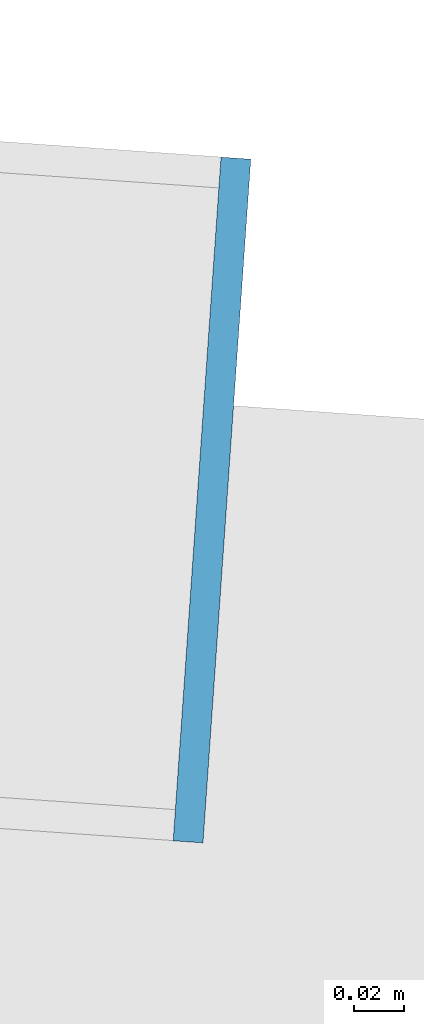
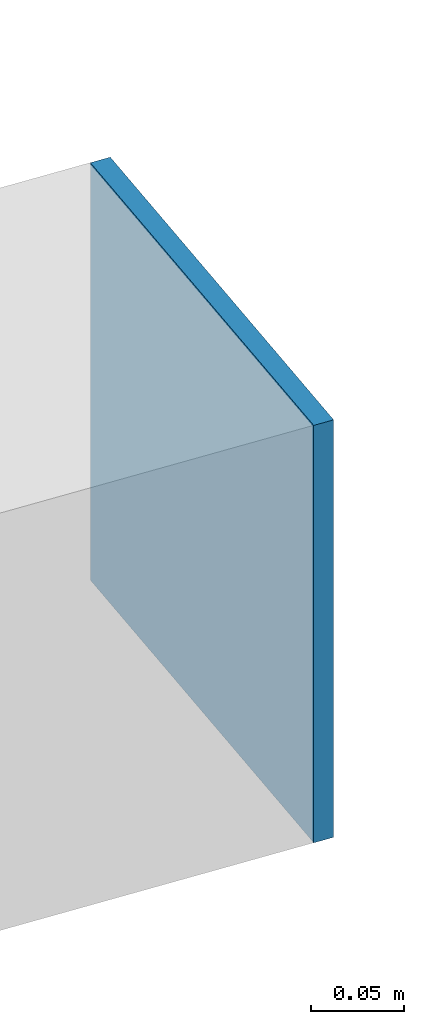
# One storey, part 31 of 39: 1 plate.
"""IFC4 building model written with IfcOpenShell, lengths in metres."""

from ifc_helpers import new_model, si_unit, direction, frame, origin, origin_2d, place, context, subcontext, project, spatial, rectangle, extrude, source, transform, mapped, material, layer, layer_set, type_object, element, save


model = new_model("IFC4")

# Units and contexts
model_context = context("Model", 3, precision=1e-05, world=origin(), true_north=direction((0.0, 1.0)))
body_context = subcontext(model_context, "Body", "Model", "MODEL_VIEW")
ifc_project = project(units=[si_unit("LENGTHUNIT", "METRE"), si_unit("AREAUNIT", "SQUARE_METRE"), si_unit("VOLUMEUNIT", "CUBIC_METRE"), si_unit("PLANEANGLEUNIT", "RADIAN"), si_unit("MASSUNIT", "GRAM", prefix="KILO")], contexts=[model_context])

# Site, building, storey
site_placement = place(None, origin())
site = spatial("IfcSite", under=ifc_project, at=site_placement, CompositionType="ELEMENT")
building_placement = place(site_placement, origin())
building = spatial("IfcBuilding", under=site, at=building_placement, Name="Taldren Reach Tower", CompositionType="ELEMENT")
storey_placement = place(building_placement, frame((0.0, 0.0, 126.699951171875)))
storey = spatial("IfcBuildingStorey", under=building, at=storey_placement, Name="L38", CompositionType="ELEMENT", Elevation=126.699951171875)

# Plate
ifc_material = material(Name="Steel Gr 450 (C450L0)", Category="steel")
ifc_layer = layer(ifc_material, 0.011962890625)
ifc_layer_set = layer_set([ifc_layer], Name="Steel Gr 450 (C450L0)")
plate_type = type_object("IfcPlateType", Name="PL-CAP-275", PredefinedType="SHEET", material=ifc_layer_set)
shared_shape = source(origin(), body_context, "Body", "SweptSolid", [
    extrude(rectangle(XDim=0.011962890625, YDim=0.27490234375, at=origin_2d()), origin(), (0.0, 0.0, 1.0), 0.27490234375),
])
plate_placement = place(storey_placement, frame((62.88330078125, 30.991943359375, 2.5126953125), z_axis=(0.0, 0.0, 1.0), x_axis=(0.99756405026, -0.069756473744, 0.0)))
element("IfcPlate", 1, at=plate_placement, inside=storey, type_object=plate_type, Name="Tie strut end cap plate B3-E3 L38", PredefinedType="SHEET", context=body_context, shape_type="MappedRepresentation", body=[
    mapped(shared_shape, transform((0.0, 0.0, 0.0), scale=1.0)),
])

save(model, "model.ifc")
